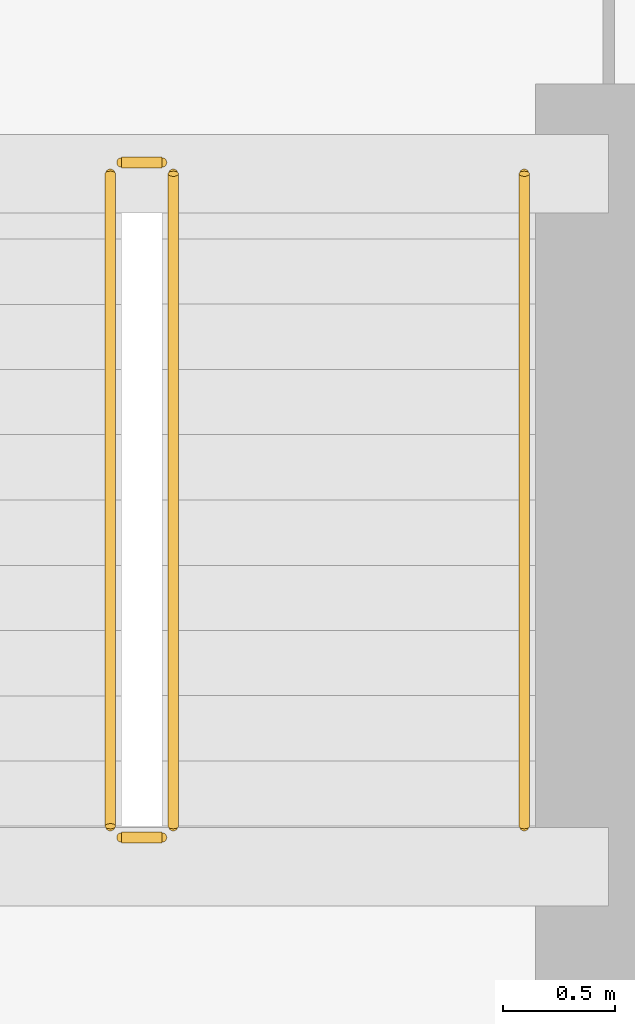
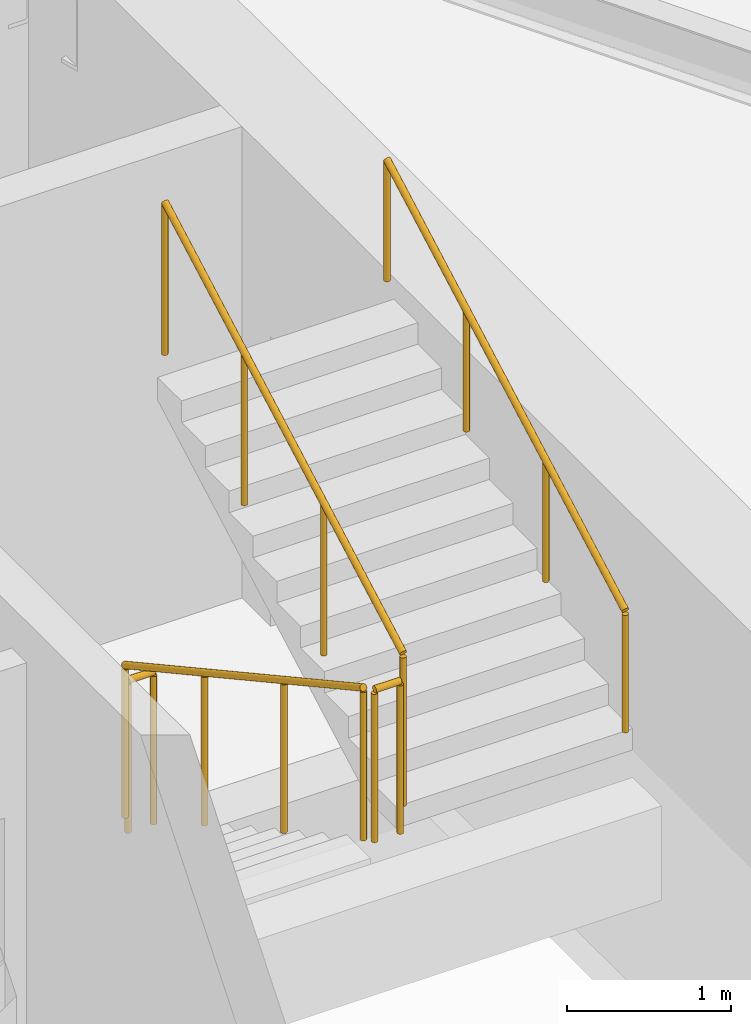
# One storey, part 10 of 10: 5 railings.
"""IFC4 building model written with IfcOpenShell, lengths in metres."""

from ifc_helpers import new_model, si_unit, direction, frame, origin, origin_2d, place, context, subcontext, project, spatial, circle, extrude, material, type_object, element, save


model = new_model("IFC4")

# Units and contexts
model_context = context("Model", 3, precision=1e-05, world=origin(), true_north=direction((0.0, 1.0)))
body_context = subcontext(model_context, "Body", "Model", "MODEL_VIEW")
ifc_project = project(units=[si_unit("LENGTHUNIT", "METRE"), si_unit("AREAUNIT", "SQUARE_METRE"), si_unit("VOLUMEUNIT", "CUBIC_METRE"), si_unit("PLANEANGLEUNIT", "RADIAN"), si_unit("MASSUNIT", "GRAM", prefix="KILO")], contexts=[model_context])

# Site, building, storey
site_placement = place(None, origin())
site = spatial("IfcSite", under=ifc_project, at=site_placement, CompositionType="ELEMENT")
building_placement = place(site_placement, origin())
building = spatial("IfcBuilding", under=site, at=building_placement, Name="Calvemar Wedge Station Tower", CompositionType="ELEMENT")
storey_placement = place(building_placement, frame((0.0, 0.0, 204.39990234375)))
storey = spatial("IfcBuildingStorey", under=building, at=storey_placement, Name="L51", CompositionType="ELEMENT", Elevation=204.39990234375)

# Railings
ifc_material_1 = material(Name="Stainless steel AISI 316L", Category="steel")
railing_type_1 = type_object("IfcRailingType", Name="RL-HANDRAIL-920", PredefinedType="HANDRAIL", material=ifc_material_1)
railing_1_placement = place(storey_placement, frame((30.949951171875, 38.25, 1.9091796875)))
element("IfcRailing", 1, at=railing_1_placement, inside=storey, type_object=railing_type_1, Name="L51 ST-C2 stair handrail 2", PredefinedType="HANDRAIL", context=body_context, shape_type="SweptSolid", body=[
    extrude(circle(Radius=0.02392578125, at=origin_2d()), frame((0.0, 0.0, 0.89599609375), z_axis=(0.0, 0.876742130028, 0.480960744171), x_axis=(-1.0, 0.0, 0.0)), (0.0, 0.0, 1.0), 3.3076171875),
    extrude(circle(Radius=0.02099609375, at=origin_2d()), origin(), (0.0, 0.0, 1.0), 0.871826171875),
    extrude(circle(Radius=0.02099609375, at=origin_2d()), frame((0.0, 0.966552734375, 0.5302734375)), (0.0, 0.0, 1.0), 0.871826171875),
    extrude(circle(Radius=0.02099609375, at=origin_2d()), frame((0.0, 1.933349609375, 1.060546875)), (0.0, 0.0, 1.0), 0.871826171875),
    extrude(circle(Radius=0.02099609375, at=origin_2d()), frame((0.0, 2.89990234375, 1.5908203125)), (0.0, 0.0, 1.0), 0.871826171875),
])
ifc_material_2 = material(Name="Painted steel guardrail ASTM A500 Grade C", Category="steel")
railing_type_2 = type_object("IfcRailingType", Name="RL-STAIR-GUARD-1150", PredefinedType="GUARDRAIL", material=ifc_material_2)
railing_2_placement = place(storey_placement, frame((29.110107421875, 41.14990234375, 0.1591796875)))
element("IfcRailing", 2, at=railing_2_placement, inside=storey, type_object=railing_type_2, Name="L51 ST-C2 stair guard 1", PredefinedType="GUARDRAIL", context=body_context, shape_type="SweptSolid", body=[
    extrude(circle(Radius=0.02392578125, at=origin_2d()), frame((0.0, 0.0, 1.1259765625), z_axis=(0.0, -0.876742130028, 0.480960744171), x_axis=(1.0, 0.0, 0.0)), (0.0, 0.0, 1.0), 3.3076171875),
    extrude(circle(Radius=0.02099609375, at=origin_2d()), origin(), (0.0, 0.0, 1.0), 1.101806640625),
    extrude(circle(Radius=0.02099609375, at=origin_2d()), frame((0.0, -0.966552734375, 0.5302734375)), (0.0, 0.0, 1.0), 1.101806640625),
    extrude(circle(Radius=0.02099609375, at=origin_2d()), frame((0.0, -1.933349609375, 1.060546875)), (0.0, 0.0, 1.0), 1.101806640625),
    extrude(circle(Radius=0.02099609375, at=origin_2d()), frame((0.0, -2.89990234375, 1.5908203125)), (0.0, 0.0, 1.0), 1.101806640625),
])
railing_3_placement = place(storey_placement, frame((29.159912109375, 38.199951171875, 1.75)))
element("IfcRailing", 3, at=railing_3_placement, inside=storey, type_object=railing_type_2, Name="L51 ST-C2 stair guard 2", PredefinedType="GUARDRAIL", context=body_context, shape_type="SweptSolid", body=[
    extrude(circle(Radius=0.02392578125, at=origin_2d()), frame((0.0, 0.0, 1.1259765625), z_axis=(1.0, 0.0, 0.0), x_axis=(0.0, 1.0, 0.0)), (0.0, 0.0, 1.0), 0.18017578125),
    extrude(circle(Radius=0.02099609375, at=origin_2d()), origin(), (0.0, 0.0, 1.0), 1.101806640625),
    extrude(circle(Radius=0.02099609375, at=origin_2d()), frame((0.18017578125, 0.0, 0.0)), (0.0, 0.0, 1.0), 1.101806640625),
])
railing_4_placement = place(storey_placement, frame((29.389892578125, 38.25, 1.9091796875)))
element("IfcRailing", 4, at=railing_4_placement, inside=storey, type_object=railing_type_2, Name="L51 ST-C2 stair guard 3", PredefinedType="GUARDRAIL", context=body_context, shape_type="SweptSolid", body=[
    extrude(circle(Radius=0.02392578125, at=origin_2d()), frame((0.0, 0.0, 1.1259765625), z_axis=(0.0, 0.876742130028, 0.480960744171), x_axis=(-1.0, 0.0, 0.0)), (0.0, 0.0, 1.0), 3.3076171875),
    extrude(circle(Radius=0.02099609375, at=origin_2d()), origin(), (0.0, 0.0, 1.0), 1.101806640625),
    extrude(circle(Radius=0.02099609375, at=origin_2d()), frame((0.0, 0.966552734375, 0.5302734375)), (0.0, 0.0, 1.0), 1.101806640625),
    extrude(circle(Radius=0.02099609375, at=origin_2d()), frame((0.0, 1.933349609375, 1.060546875)), (0.0, 0.0, 1.0), 1.101806640625),
    extrude(circle(Radius=0.02099609375, at=origin_2d()), frame((0.0, 2.89990234375, 1.5908203125)), (0.0, 0.0, 1.0), 1.101806640625),
])
railing_5_placement = place(storey_placement, frame((29.159912109375, 41.199951171875, 0.0)))
element("IfcRailing", 5, at=railing_5_placement, inside=storey, type_object=railing_type_2, Name="L51 ST-C2 stair guard 4", PredefinedType="GUARDRAIL", context=body_context, shape_type="SweptSolid", body=[
    extrude(circle(Radius=0.02392578125, at=origin_2d()), frame((0.0, 0.0, 1.1259765625), z_axis=(1.0, 0.0, 0.0), x_axis=(0.0, 1.0, 0.0)), (0.0, 0.0, 1.0), 0.18017578125),
    extrude(circle(Radius=0.02099609375, at=origin_2d()), origin(), (0.0, 0.0, 1.0), 1.101806640625),
    extrude(circle(Radius=0.02099609375, at=origin_2d()), frame((0.18017578125, 0.0, 0.0)), (0.0, 0.0, 1.0), 1.101806640625),
])

save(model, "model.ifc")
